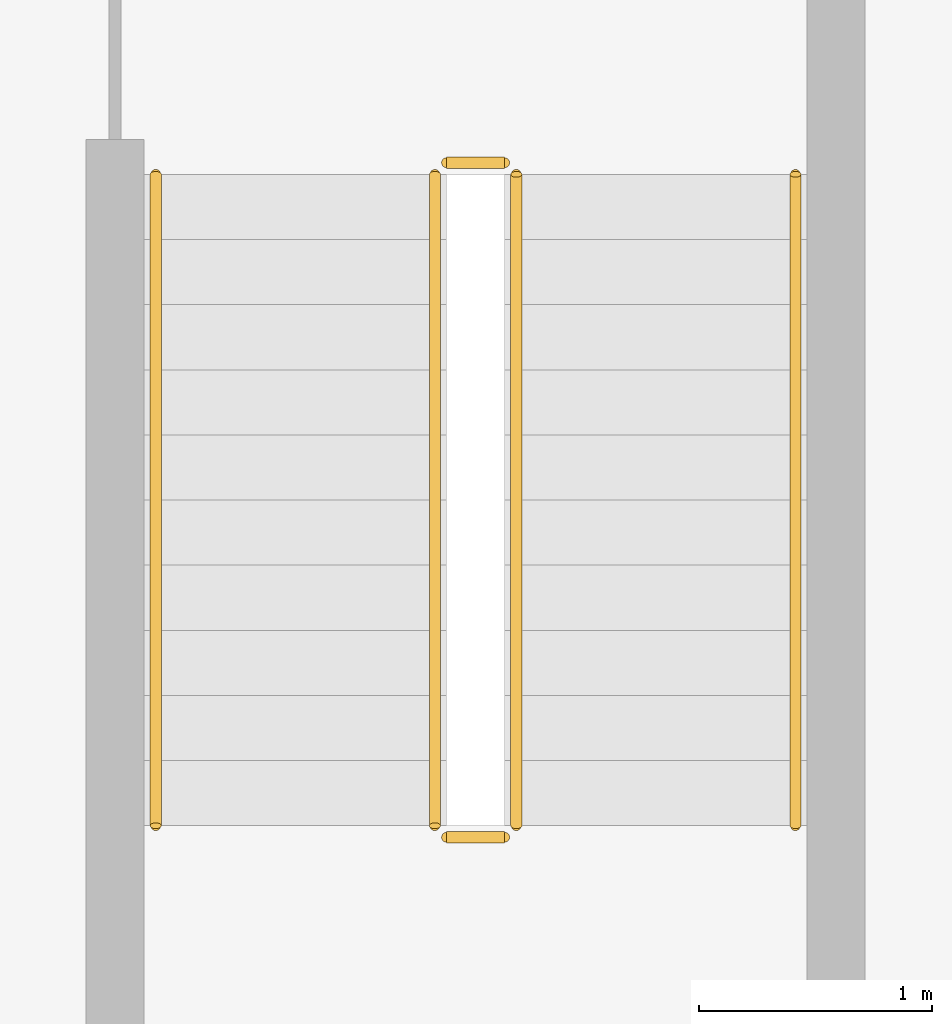
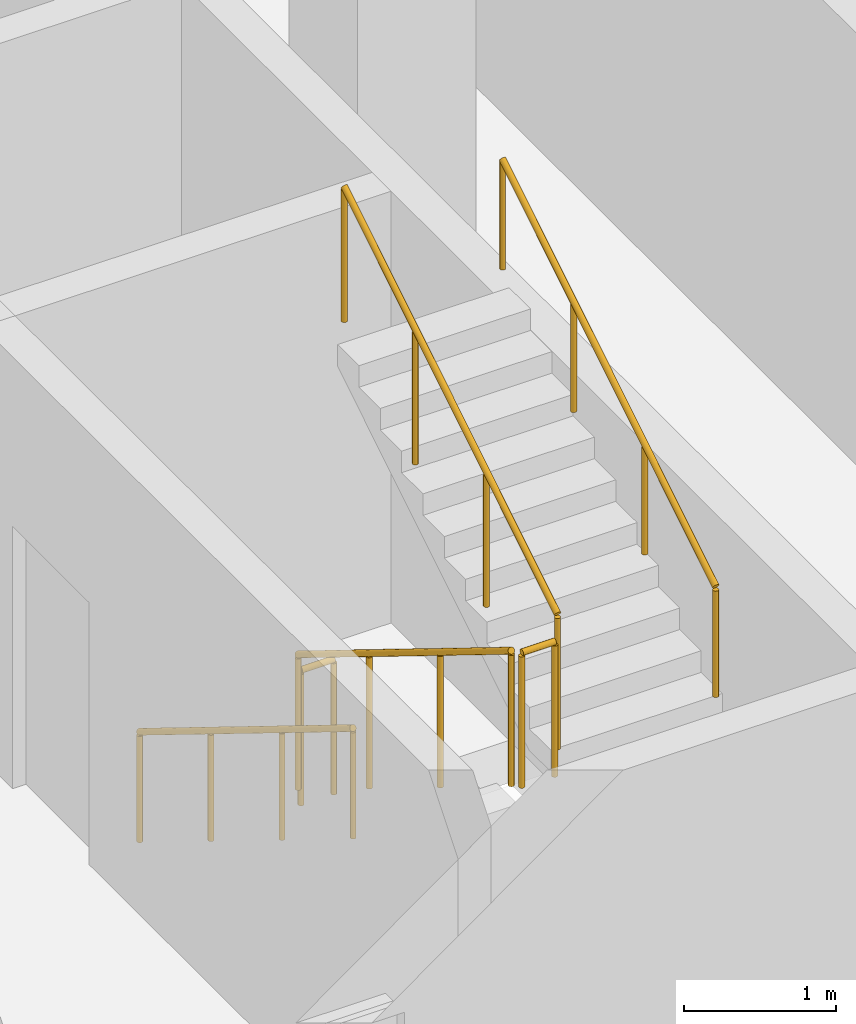
# One storey, part 25 of 28: 6 railings.
"""IFC4 building model written with IfcOpenShell, lengths in metres."""

from ifc_helpers import new_model, si_unit, direction, frame, origin, origin_2d, place, context, subcontext, project, spatial, circle, extrude, material, type_object, element, save


model = new_model("IFC4")

# Units and contexts
model_context = context("Model", 3, precision=1e-05, world=origin(), true_north=direction((0.0, 1.0)))
body_context = subcontext(model_context, "Body", "Model", "MODEL_VIEW")
ifc_project = project(units=[si_unit("LENGTHUNIT", "METRE"), si_unit("AREAUNIT", "SQUARE_METRE"), si_unit("VOLUMEUNIT", "CUBIC_METRE"), si_unit("PLANEANGLEUNIT", "RADIAN"), si_unit("MASSUNIT", "GRAM", prefix="KILO")], contexts=[model_context])

# Site, building, storey
site_placement = place(None, origin())
site = spatial("IfcSite", under=ifc_project, at=site_placement, CompositionType="ELEMENT")
building_placement = place(site_placement, origin())
building = spatial("IfcBuilding", under=site, at=building_placement, Name="Mahtab Terrace Research Tower", CompositionType="ELEMENT")
storey_placement = place(building_placement, frame((0.0, 0.0, 267.10009765625)))
storey = spatial("IfcBuildingStorey", under=building, at=storey_placement, Name="L65", CompositionType="ELEMENT", Elevation=267.10009765625)

# Railings
ifc_material = material(Name="Stainless steel AISI 304", Category="steel")
railing_type_1 = type_object("IfcRailingType", Name="Stair guard 1100", PredefinedType="GUARDRAIL", material=ifc_material)
railing_1_placement = place(storey_placement, frame((2.949951171875, -4.175048828125, 0.172607421875)))
element("IfcRailing", 1, at=railing_1_placement, inside=storey, type_object=railing_type_1, Name="L65 ST2 stair guard 1", PredefinedType="GUARDRAIL", context=body_context, shape_type="SweptSolid", body=[
    extrude(circle(Radius=0.02392578125, at=origin_2d()), frame((0.0, 0.0, 1.076171875), z_axis=(0.0, -0.851089632645, 0.525020415988), x_axis=(1.0, 0.0, 0.0)), (0.0, 0.0, 1.0), 3.2900390625),
    extrude(circle(Radius=0.02099609375, at=origin_2d()), origin(), (0.0, 0.0, 1.0), 1.052001953125),
    extrude(circle(Radius=0.02099609375, at=origin_2d()), frame((0.0, -0.933349609375, 0.57568359375)), (0.0, 0.0, 1.0), 1.052001953125),
    extrude(circle(Radius=0.02099609375, at=origin_2d()), frame((0.0, -1.86669921875, 1.151611328125)), (0.0, 0.0, 1.0), 1.052001953125),
    extrude(circle(Radius=0.02099609375, at=origin_2d()), frame((0.0, -2.800048828125, 1.727294921875)), (0.0, 0.0, 1.0), 1.052001953125),
])
railing_2_placement = place(storey_placement, frame((3.0, -7.02490234375, 1.89990234375)))
element("IfcRailing", 2, at=railing_2_placement, inside=storey, type_object=railing_type_1, Name="L65 ST2 stair guard 2", PredefinedType="GUARDRAIL", context=body_context, shape_type="SweptSolid", body=[
    extrude(circle(Radius=0.02392578125, at=origin_2d()), frame((0.0, 0.0, 1.076171875), z_axis=(1.0, 0.0, 0.0), x_axis=(0.0, 1.0, 0.0)), (0.0, 0.0, 1.0), 0.25),
    extrude(circle(Radius=0.02099609375, at=origin_2d()), origin(), (0.0, 0.0, 1.0), 1.052001953125),
    extrude(circle(Radius=0.02099609375, at=origin_2d()), frame((0.25, 0.0, 0.0)), (0.0, 0.0, 1.0), 1.052001953125),
])
railing_3_placement = place(storey_placement, frame((3.300048828125, -6.97509765625, 2.072509765625)))
element("IfcRailing", 3, at=railing_3_placement, inside=storey, type_object=railing_type_1, Name="L65 ST2 stair guard 3", PredefinedType="GUARDRAIL", context=body_context, shape_type="SweptSolid", body=[
    extrude(circle(Radius=0.02392578125, at=origin_2d()), frame((0.0, 0.0, 1.076171875), z_axis=(0.0, 0.851089632645, 0.525020415988), x_axis=(-1.0, 0.0, 0.0)), (0.0, 0.0, 1.0), 3.2900390625),
    extrude(circle(Radius=0.02099609375, at=origin_2d()), origin(), (0.0, 0.0, 1.0), 1.052001953125),
    extrude(circle(Radius=0.02099609375, at=origin_2d()), frame((0.0, 0.933349609375, 0.57568359375)), (0.0, 0.0, 1.0), 1.052001953125),
    extrude(circle(Radius=0.02099609375, at=origin_2d()), frame((0.0, 1.86669921875, 1.151611328125)), (0.0, 0.0, 1.0), 1.052001953125),
    extrude(circle(Radius=0.02099609375, at=origin_2d()), frame((0.0, 2.800048828125, 1.727294921875)), (0.0, 0.0, 1.0), 1.052001953125),
])
railing_4_placement = place(storey_placement, frame((3.0, -4.125, 0.0)))
element("IfcRailing", 4, at=railing_4_placement, inside=storey, type_object=railing_type_1, Name="L65 ST2 stair guard 4", PredefinedType="GUARDRAIL", context=body_context, shape_type="SweptSolid", body=[
    extrude(circle(Radius=0.02392578125, at=origin_2d()), frame((0.0, 0.0, 1.076171875), z_axis=(1.0, 0.0, 0.0), x_axis=(0.0, 1.0, 0.0)), (0.0, 0.0, 1.0), 0.25),
    extrude(circle(Radius=0.02099609375, at=origin_2d()), origin(), (0.0, 0.0, 1.0), 1.052001953125),
    extrude(circle(Radius=0.02099609375, at=origin_2d()), frame((0.25, 0.0, 0.0)), (0.0, 0.0, 1.0), 1.052001953125),
])
railing_type_2 = type_object("IfcRailingType", Name="Stair handrail 900", PredefinedType="HANDRAIL", material=ifc_material)
railing_5_placement = place(storey_placement, frame((1.75, -4.175048828125, 0.172607421875)))
element("IfcRailing", 5, at=railing_5_placement, inside=storey, type_object=railing_type_2, Name="L65 ST2 stair handrail 1", PredefinedType="HANDRAIL", context=body_context, shape_type="SweptSolid", body=[
    extrude(circle(Radius=0.02392578125, at=origin_2d()), frame((0.0, 0.0, 0.8759765625), z_axis=(0.0, -0.851089632645, 0.525020415988), x_axis=(1.0, 0.0, 0.0)), (0.0, 0.0, 1.0), 3.2900390625),
    extrude(circle(Radius=0.02099609375, at=origin_2d()), origin(), (0.0, 0.0, 1.0), 0.851806640625),
    extrude(circle(Radius=0.02099609375, at=origin_2d()), frame((0.0, -0.933349609375, 0.57568359375)), (0.0, 0.0, 1.0), 0.851806640625),
    extrude(circle(Radius=0.02099609375, at=origin_2d()), frame((0.0, -1.86669921875, 1.151611328125)), (0.0, 0.0, 1.0), 0.851806640625),
    extrude(circle(Radius=0.02099609375, at=origin_2d()), frame((0.0, -2.800048828125, 1.727294921875)), (0.0, 0.0, 1.0), 0.851806640625),
])
railing_6_placement = place(storey_placement, frame((4.5, -6.97509765625, 2.072509765625)))
element("IfcRailing", 6, at=railing_6_placement, inside=storey, type_object=railing_type_2, Name="L65 ST2 stair handrail 2", PredefinedType="HANDRAIL", context=body_context, shape_type="SweptSolid", body=[
    extrude(circle(Radius=0.02392578125, at=origin_2d()), frame((0.0, 0.0, 0.8759765625), z_axis=(0.0, 0.851089632645, 0.525020415988), x_axis=(-1.0, 0.0, 0.0)), (0.0, 0.0, 1.0), 3.2900390625),
    extrude(circle(Radius=0.02099609375, at=origin_2d()), origin(), (0.0, 0.0, 1.0), 0.851806640625),
    extrude(circle(Radius=0.02099609375, at=origin_2d()), frame((0.0, 0.933349609375, 0.57568359375)), (0.0, 0.0, 1.0), 0.851806640625),
    extrude(circle(Radius=0.02099609375, at=origin_2d()), frame((0.0, 1.86669921875, 1.151611328125)), (0.0, 0.0, 1.0), 0.851806640625),
    extrude(circle(Radius=0.02099609375, at=origin_2d()), frame((0.0, 2.800048828125, 1.727294921875)), (0.0, 0.0, 1.0), 0.851806640625),
])

save(model, "model.ifc")
